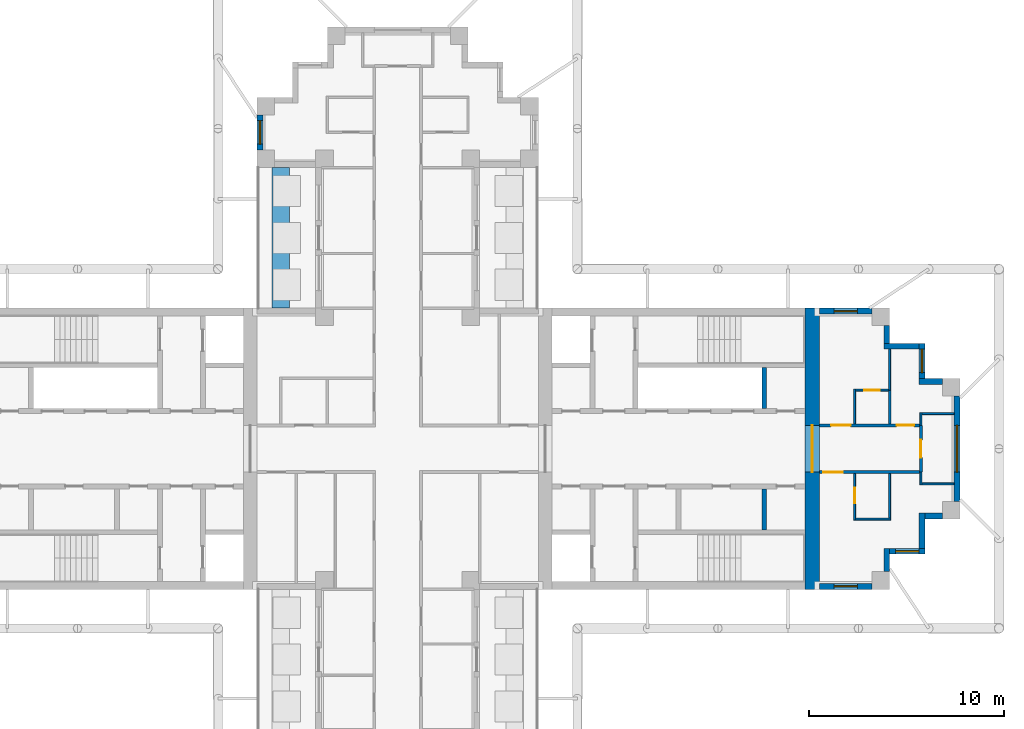
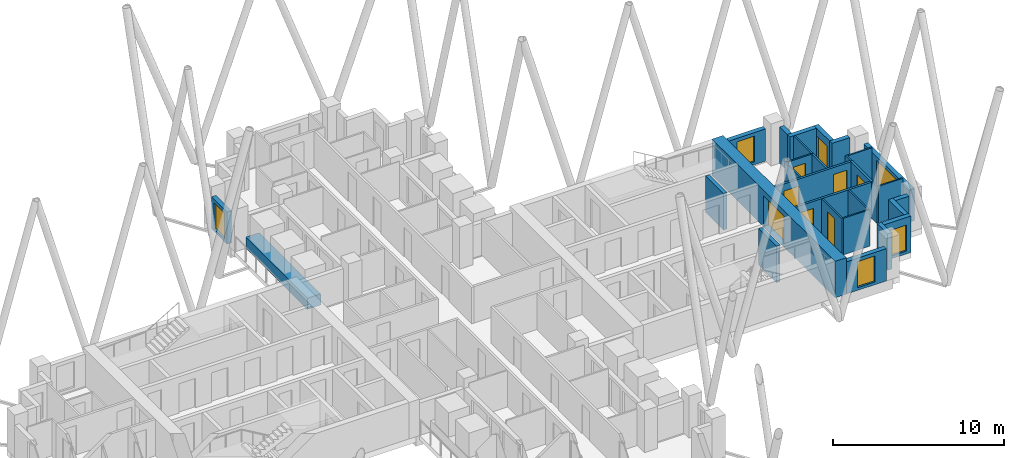
# One storey, part 7 of 11: 30 walls, 7 doors, 6 windows, 13 openings.
"""IFC4 building model written with IfcOpenShell, lengths in metres."""

import ifcopenshell
import ifcopenshell.guid

model = None  # the IFC model being written
_history = None  # IfcOwnerHistory: only IFC2X3 demands one
_inside = {}  # id of a spatial element -> (the spatial element, [elements in it])
_under = {}  # id of a project, library or spatial element -> (it, [spatial elements below it])
_declared = {}  # id of a project -> (the project, [libraries it declares])
_typed = {}  # id of a type object -> (the type object, [elements of that type])
_made_of = {}  # id of a material, layer set ... -> (it, [elements and type objects made of it])


def new_model(schema):
    """Start an empty IFC model of exactly this schema.

    Asked for "IFC4X3", IfcOpenShell would pick the latest addendum, in which some entities
    have other attributes; the version numbers below select the first issue.
    IFC2X3 requires an IfcOwnerHistory on every rooted entity: one is made here for all.
    """
    global model, _history
    if schema == "IFC4X3":
        model = ifcopenshell.file(schema_version=(4, 3, 0, 0))
    else:
        model = ifcopenshell.file(schema=schema)
    _inside.clear()
    _under.clear()
    _declared.clear()
    _typed.clear()
    _made_of.clear()
    _history = None
    if model.schema == "IFC2X3":
        org = make("IfcOrganization", Name="unknown")
        user = make(
            "IfcPersonAndOrganization",
            ThePerson=make("IfcPerson", FamilyName="unknown"),
            TheOrganization=org,
        )
        app = make(
            "IfcApplication",
            ApplicationDeveloper=org,
            Version="unknown",
            ApplicationFullName="unknown",
            ApplicationIdentifier="unknown",
        )
        _history = make(
            "IfcOwnerHistory",
            OwningUser=user,
            OwningApplication=app,
            ChangeAction="ADDED",
            CreationDate=0,
        )
    return model


def make(cls, **values):
    """One entity of the class cls with the attributes given. An attribute that is None is left unset."""
    return model.create_entity(
        cls, **{name: value for name, value in values.items() if value is not None}
    )


def rooted(cls, **values):
    """An entity with a GlobalId (a new one), such as an element, a storey or a relation."""
    return make(cls, GlobalId=ifcopenshell.guid.new(), OwnerHistory=_history, **values)


def si_unit(unit_type, name, prefix=None):
    """IfcSIUnit, for example si_unit("LENGTHUNIT", "METRE", prefix="MILLI")."""
    return make("IfcSIUnit", UnitType=unit_type, Prefix=prefix, Name=name)


def assignment(units):
    """IfcUnitAssignment: the units of a project."""
    return None if units is None else make("IfcUnitAssignment", Units=units)


def point(xyz):
    """IfcCartesianPoint."""
    return None if xyz is None else make("IfcCartesianPoint", Coordinates=xyz)


def direction(xyz):
    """IfcDirection."""
    return None if xyz is None else make("IfcDirection", DirectionRatios=xyz)


def frame(location, z_axis=None, x_axis=None):
    """IfcAxis2Placement3D, a coordinate frame: its origin and axes. An axis left out is left unset."""
    return make(
        "IfcAxis2Placement3D",
        Location=point(location),
        Axis=direction(z_axis),
        RefDirection=direction(x_axis),
    )


def frame_2d(location, x_axis=None):
    """IfcAxis2Placement2D, a coordinate frame in the plane: its origin and x axis."""
    return make(
        "IfcAxis2Placement2D", Location=point(location), RefDirection=direction(x_axis)
    )


def origin():
    """The frame at (0, 0, 0) with its axes left unset."""
    return frame((0.0, 0.0, 0.0))


def place(relative_to, where):
    """IfcLocalPlacement: puts the frame where relative to a parent placement (None: the world)."""
    return make(
        "IfcLocalPlacement", PlacementRelTo=relative_to, RelativePlacement=where
    )


def context(
    kind, dimensions, precision=None, world=None, true_north=None, identifier=None
):
    """IfcGeometricRepresentationContext, for example the 3D "Model" context."""
    return make(
        "IfcGeometricRepresentationContext",
        ContextIdentifier=identifier,
        ContextType=kind,
        CoordinateSpaceDimension=dimensions,
        Precision=precision,
        WorldCoordinateSystem=world,
        TrueNorth=true_north,
    )


def subcontext(parent, identifier, kind, view, scale=None):
    """IfcGeometricRepresentationSubContext, for example "Body" below "Model"."""
    return make(
        "IfcGeometricRepresentationSubContext",
        ContextIdentifier=identifier,
        ContextType=kind,
        ParentContext=parent,
        TargetScale=scale,
        TargetView=view,
    )


def project(units=None, contexts=None):
    """IfcProject with its units and contexts."""
    return rooted(
        "IfcProject",
        Name="project",
        RepresentationContexts=contexts,
        UnitsInContext=assignment(units),
    )


def spatial(cls, under=None, at=None, **own):
    """A site, building, storey or space (cls), placed at a placement, below another one or the project."""
    s = rooted(cls, ObjectPlacement=at, **own)
    if under is not None:
        _under.setdefault(under.id(), (under, []))[1].append(s)
    return s


def profile(cls, at=None, kind="AREA", **sizes):
    """A parametric profile (cls). Its sizes go by their IFC names, for example OverallWidth=200.0."""
    return make(cls, ProfileType=kind, Position=at, **sizes)


def rectangle(**sizes):
    """IfcRectangleProfileDef."""
    return profile("IfcRectangleProfileDef", **sizes)


def extrude(swept, where, along, depth):
    """IfcExtrudedAreaSolid: the profile swept, set in the frame where, extruded along a direction by depth."""
    return make(
        "IfcExtrudedAreaSolid",
        SweptArea=swept,
        Position=where,
        ExtrudedDirection=direction(along),
        Depth=depth,
    )


def shape(context_of_items, identifier, shape_type, items):
    """IfcShapeRepresentation: the items that make up one representation, for example the "Body"."""
    return make(
        "IfcShapeRepresentation",
        ContextOfItems=context_of_items,
        RepresentationIdentifier=identifier,
        RepresentationType=shape_type,
        Items=items,
    )


def material(Name=None, Category=None):
    """IfcMaterial."""
    return make("IfcMaterial", Name=Name, Category=Category)


def layer(
    of_material, thickness, ventilated=None, Name=None, Category=None, Priority=None
):
    """IfcMaterialLayer: one layer of a wall or slab, of a material (None: an air gap)."""
    return make(
        "IfcMaterialLayer",
        Material=of_material,
        LayerThickness=thickness,
        IsVentilated=ventilated,
        Name=Name,
        Category=Category,
        Priority=Priority,
    )


def layer_set(layers, Name=None):
    """IfcMaterialLayerSet."""
    return make("IfcMaterialLayerSet", MaterialLayers=layers, LayerSetName=Name)


def made_of(thing, what):
    """Note that an element or type object is made of a material, layer set ...; save() writes the relation."""
    if what is not None:
        _made_of.setdefault(what.id(), (what, []))[1].append(thing)
    return thing


def type_object(cls, material=None, **own):
    """A type object (cls), such as IfcWallType, which elements share."""
    return made_of(rooted(cls, **own), material)


def element(
    cls,
    number,
    at=None,
    inside=None,
    cuts=None,
    type_object=None,
    material=None,
    context=None,
    identifier="Body",
    shape_type=None,
    held_by="IfcProductDefinitionShape",
    body=None,
    shapes=None,
    **own,
):
    """One element of the class cls, such as IfcWall. Its Tag is "e" and its number.

    at: its placement. inside: the storey or other place that contains it. cuts: it is an
    opening in that element (IfcRelVoidsElement). A single representation is given by context,
    identifier, shape_type and body (its items); several are given by shapes. held_by: the class
    of the entity that holds the representations. save() writes the other relations.
    """
    e = rooted(cls, Tag="e%d" % number, ObjectPlacement=at, **own)
    if body is not None:
        shapes = [shape(context, identifier, shape_type, body)]
    if shapes is not None:
        e.Representation = make(held_by, Representations=shapes)
    if inside is not None:
        _inside.setdefault(inside.id(), (inside, []))[1].append(e)
    if cuts is not None:
        rooted(
            "IfcRelVoidsElement", RelatingBuildingElement=cuts, RelatedOpeningElement=e
        )
    if type_object is not None:
        _typed.setdefault(type_object.id(), (type_object, []))[1].append(e)
    return made_of(e, material)


def fill(opening, filler):
    """IfcRelFillsElement: the door or window that sits in an opening."""
    return rooted(
        "IfcRelFillsElement",
        RelatingOpeningElement=opening,
        RelatedBuildingElement=filler,
    )


def aggregate(whole, parts):
    """IfcRelAggregates: a whole, such as a stair, and the parts it consists of."""
    return rooted("IfcRelAggregates", RelatingObject=whole, RelatedObjects=parts)


def save(model, path):
    """Write the relations noted so far, then the file.

    IfcRelAggregates (storeys below a building ...), IfcRelContainedInSpatialStructure (elements
    in a storey), IfcRelDefinesByType, IfcRelAssociatesMaterial and IfcRelDeclares: one each for
    every whole, place, type object, material and project.
    """
    for whole, parts in _under.values():
        aggregate(whole, parts)
    for where, things in _inside.values():
        rooted(
            "IfcRelContainedInSpatialStructure",
            RelatedElements=things,
            RelatingStructure=where,
        )
    for kind, things in _typed.values():
        rooted("IfcRelDefinesByType", RelatedObjects=things, RelatingType=kind)
    for what, things in _made_of.values():
        rooted("IfcRelAssociatesMaterial", RelatedObjects=things, RelatingMaterial=what)
    for by, libraries in _declared.values():
        rooted("IfcRelDeclares", RelatingContext=by, RelatedDefinitions=libraries)
    model.write(path)


model = new_model("IFC4")

# Units and contexts
model_context = context("Model", 3, precision=1e-05, world=origin(), true_north=direction((0.0, 1.0)))
body_context = subcontext(model_context, "Body", "Model", "MODEL_VIEW")
ifc_project = project(units=[si_unit("LENGTHUNIT", "METRE"), si_unit("AREAUNIT", "SQUARE_METRE"), si_unit("VOLUMEUNIT", "CUBIC_METRE"), si_unit("PLANEANGLEUNIT", "RADIAN"), si_unit("MASSUNIT", "GRAM", prefix="KILO")], contexts=[model_context])

# Site, building, storey
site_placement = place(None, origin())
site = spatial("IfcSite", under=ifc_project, at=site_placement, CompositionType="ELEMENT")
building_placement = place(site_placement, origin())
building = spatial("IfcBuilding", under=site, at=building_placement, Name="Fustian Cross Tower", CompositionType="ELEMENT")
storey_placement = place(building_placement, frame((0.0, 0.0, 234.89990234375)))
storey = spatial("IfcBuildingStorey", under=building, at=storey_placement, Name="L74", CompositionType="ELEMENT", Elevation=234.89990234375)

# Wall, opening, door
ifc_material_1 = material(Name="Plasterboard on steel stud", Category="steel")
ifc_layer_1 = layer(ifc_material_1, 0.14990234375)
ifc_layer_set_1 = layer_set([ifc_layer_1], Name="Plasterboard on steel stud")
wall_type_1 = type_object("IfcWallType", Name="COMPARTMENT WALL 150 EI 60", PredefinedType="PARTITIONING", material=ifc_layer_set_1)
wall_1_placement = place(storey_placement, frame((21.60009765625, -1.199951171875, 0.0), z_axis=(0.0, 0.0, 1.0), x_axis=(1.0, 0.0, 0.0)))
wall_1 = element("IfcWall", 1, at=wall_1_placement, inside=storey, type_object=wall_type_1, Name="Partition 61", PredefinedType="PARTITIONING", context=body_context, shape_type="SweptSolid", body=[
    extrude(rectangle(XDim=5.125, YDim=0.14990234375, at=frame_2d((2.5625, 0.0))), origin(), (0.0, 0.0, 1.0), 2.60009765625),
])
opening_1_placement = place(wall_1_placement, frame((0.199951171875, 0.0, 0.0)))
opening_1 = element("IfcOpeningElement", 2, at=opening_1_placement, cuts=wall_1, Name="Opening D33016", PredefinedType="OPENING", context=body_context, shape_type="SweptSolid", body=[
    extrude(rectangle(XDim=1.0, YDim=2.10009765625, at=frame_2d((0.5, 1.050048828125))), frame((0.0, 0.0849609375, 0.0), z_axis=(0.0, -1.0, 0.0), x_axis=(1.0, 0.0, 0.0)), (0.0, 0.0, 1.0), 0.169921875),
])
ifc_material_2 = material(Name="Timber fire door set", Category="wood")
door_type_1 = type_object("IfcDoorType", Name="FIRE SWING DOOR 1000 FD30S", OperationType="SINGLE_SWING_LEFT", PredefinedType="DOOR", material=ifc_material_2)
door_1_placement = place(opening_1_placement, frame((1.0, 0.0, 0.0), z_axis=(0.0, 0.0, 1.0), x_axis=(-1.0, 0.0, 0.0)))
door_1 = element("IfcDoor", 3, at=door_1_placement, inside=storey, type_object=door_type_1, Name="Door D33016", OperationType="SINGLE_SWING_RIGHT", OverallHeight=2.10009765625, OverallWidth=1.0, PredefinedType="DOOR", context=body_context, shape_type="SweptSolid", body=[
    extrude(rectangle(XDim=1.0, YDim=2.10009765625, at=frame_2d((0.5, 1.050048828125))), frame((0.0, 0.02490234375, 0.0), z_axis=(0.0, -1.0, 0.0), x_axis=(1.0, 0.0, 0.0)), (0.0, 0.0, 1.0), 0.050048828125),
])
fill(opening_1, door_1)

# Wall, openings, doors
wall_2_placement = place(storey_placement, frame((21.60009765625, 1.199951171875, 0.0), z_axis=(0.0, 0.0, 1.0), x_axis=(1.0, 0.0, 0.0)))
wall_2 = element("IfcWall", 4, at=wall_2_placement, inside=storey, type_object=wall_type_1, Name="Partition 62", PredefinedType="PARTITIONING", context=body_context, shape_type="SweptSolid", body=[
    extrude(rectangle(XDim=5.125, YDim=0.14990234375, at=frame_2d((2.5625, 0.0))), origin(), (0.0, 0.0, 1.0), 2.60009765625),
])
opening_2_placement = place(wall_2_placement, frame((0.60009765625, 0.0, 0.0)))
opening_2 = element("IfcOpeningElement", 5, at=opening_2_placement, cuts=wall_2, Name="Opening D33013", PredefinedType="OPENING", context=body_context, shape_type="SweptSolid", body=[
    extrude(rectangle(XDim=1.0, YDim=2.10009765625, at=frame_2d((0.5, 1.050048828125))), frame((0.0, 0.0849609375, 0.0), z_axis=(0.0, -1.0, 0.0), x_axis=(1.0, 0.0, 0.0)), (0.0, 0.0, 1.0), 0.169921875),
])
opening_3_placement = place(wall_2_placement, frame((3.949951171875, 0.0, 0.0)))
opening_3 = element("IfcOpeningElement", 6, at=opening_3_placement, cuts=wall_2, Name="Opening D33014", PredefinedType="OPENING", context=body_context, shape_type="SweptSolid", body=[
    extrude(rectangle(XDim=0.89990234375, YDim=2.10009765625, at=frame_2d((0.449951171875, 1.050048828125))), frame((0.0, 0.0849609375, 0.0), z_axis=(0.0, -1.0, 0.0), x_axis=(1.0, 0.0, 0.0)), (0.0, 0.0, 1.0), 0.169921875),
])
door_2_placement = place(opening_2_placement, origin())
door_2 = element("IfcDoor", 7, at=door_2_placement, inside=storey, type_object=door_type_1, Name="Door D33013", OperationType="SINGLE_SWING_RIGHT", OverallHeight=2.10009765625, OverallWidth=1.0, PredefinedType="DOOR", context=body_context, shape_type="SweptSolid", body=[
    extrude(rectangle(XDim=1.0, YDim=2.10009765625, at=frame_2d((0.5, 1.050048828125))), frame((0.0, 0.02490234375, 0.0), z_axis=(0.0, -1.0, 0.0), x_axis=(1.0, 0.0, 0.0)), (0.0, 0.0, 1.0), 0.050048828125),
])
fill(opening_2, door_2)
ifc_material_3 = material(Name="Timber fire door set", Category="wood")
door_type_2 = type_object("IfcDoorType", Name="FIRE SWING DOOR 900 FD30S", OperationType="SINGLE_SWING_LEFT", PredefinedType="DOOR", material=ifc_material_3)
door_3_placement = place(opening_3_placement, origin())
door_3 = element("IfcDoor", 8, at=door_3_placement, inside=storey, type_object=door_type_2, Name="Door D33014", OperationType="SINGLE_SWING_LEFT", OverallHeight=2.10009765625, OverallWidth=0.89990234375, PredefinedType="DOOR", context=body_context, shape_type="SweptSolid", body=[
    extrude(rectangle(XDim=0.89990234375, YDim=2.10009765625, at=frame_2d((0.449951171875, 1.050048828125))), frame((0.0, 0.02490234375, 0.0), z_axis=(0.0, -1.0, 0.0), x_axis=(1.0, 0.0, 0.0)), (0.0, 0.0, 1.0), 0.050048828125),
])
fill(opening_3, door_3)

# Wall, opening, door
wall_3_placement = place(storey_placement, frame((26.800048828125, -1.199951171875, 0.0), z_axis=(0.0, 0.0, 1.0), x_axis=(0.0, 1.0, 0.0)))
wall_3 = element("IfcWall", 9, at=wall_3_placement, inside=storey, type_object=wall_type_1, Name="Partition 72", PredefinedType="PARTITIONING", context=body_context, shape_type="SweptSolid", body=[
    extrude(rectangle(XDim=2.39990234375, YDim=0.14990234375, at=frame_2d((1.199951171875, 0.0))), origin(), (0.0, 0.0, 1.0), 2.60009765625),
])
opening_4_placement = place(wall_3_placement, frame((0.75, 0.0, 0.0)))
opening_4 = element("IfcOpeningElement", 10, at=opening_4_placement, cuts=wall_3, Name="Opening D33011", PredefinedType="OPENING", context=body_context, shape_type="SweptSolid", body=[
    extrude(rectangle(XDim=0.89990234375, YDim=2.10009765625, at=frame_2d((0.449951171875, 1.050048828125))), frame((0.0, 0.0849609375, 0.0), z_axis=(0.0, -1.0, 0.0), x_axis=(1.0, 0.0, 0.0)), (0.0, 0.0, 1.0), 0.169921875),
])
door_4_placement = place(opening_4_placement, frame((0.89990234375, 0.0, 0.0), z_axis=(0.0, 0.0, 1.0), x_axis=(-1.0, 0.0, 0.0)))
door_4 = element("IfcDoor", 11, at=door_4_placement, inside=storey, type_object=door_type_2, Name="Door D33011", OperationType="SINGLE_SWING_RIGHT", OverallHeight=2.10009765625, OverallWidth=0.89990234375, PredefinedType="DOOR", context=body_context, shape_type="SweptSolid", body=[
    extrude(rectangle(XDim=0.89990234375, YDim=2.10009765625, at=frame_2d((0.449951171875, 1.050048828125))), frame((0.0, 0.02490234375, 0.0), z_axis=(0.0, -1.0, 0.0), x_axis=(1.0, 0.0, 0.0)), (0.0, 0.0, 1.0), 0.050048828125),
])
fill(opening_4, door_4)

ifc_material_4 = material(Name="Concrete C50/60", Category="concrete")
ifc_layer_2 = layer(ifc_material_4, 0.75)
ifc_layer_set_2 = layer_set([ifc_layer_2], Name="Concrete C50/60")
wall_type_2 = type_object("IfcWallType", Name="CORE END WALL 750 C50/60", PredefinedType="SHEAR", material=ifc_layer_set_2)
wall_4_placement = place(storey_placement, frame((21.22509765625, -7.199951171875, 0.0), z_axis=(0.0, 0.0, 1.0), x_axis=(0.0, 1.0, 0.0)))
wall_4 = element("IfcWall", 12, at=wall_4_placement, inside=storey, type_object=wall_type_2, Name="Core end wall", PredefinedType="SHEAR", context=body_context, shape_type="SweptSolid", body=[
    extrude(rectangle(XDim=14.39990234375, YDim=0.75, at=frame_2d((7.199951171875, 0.0))), origin(), (0.0, 0.0, 1.0), 2.60009765625),
])
opening_5_placement = place(wall_4_placement, frame((6.0, 0.0, 0.0)))
opening_5 = element("IfcOpeningElement", 13, at=opening_5_placement, cuts=wall_4, Name="Opening CD-28-13", PredefinedType="OPENING", context=body_context, shape_type="SweptSolid", body=[
    extrude(rectangle(XDim=2.39990234375, YDim=2.199951171875, at=frame_2d((1.199951171875, 1.10009765625))), frame((0.0, 0.385009765625, 0.0), z_axis=(0.0, -1.0, 0.0), x_axis=(1.0, 0.0, 0.0)), (0.0, 0.0, 1.0), 0.77001953125),
])
ifc_material_5 = material(Name="Steel", Category="steel")
door_type_3 = type_object("IfcDoorType", Name="FIRE DOOR FD30S DOUBLE 2400X2200", OperationType="DOUBLE_DOOR_DOUBLE_SWING", PredefinedType="DOOR", material=ifc_material_5)
door_5_placement = place(opening_5_placement, origin())
door_5 = element("IfcDoor", 14, at=door_5_placement, inside=storey, type_object=door_type_3, Name="Core door CD-28-13", OperationType="DOUBLE_DOOR_DOUBLE_SWING", OverallHeight=2.199951171875, OverallWidth=2.39990234375, PredefinedType="DOOR", context=body_context, shape_type="SweptSolid", body=[
    extrude(rectangle(XDim=2.39990234375, YDim=2.199951171875, at=frame_2d((1.199951171875, 1.10009765625))), frame((0.0, 0.02490234375, 0.0), z_axis=(0.0, -1.0, 0.0), x_axis=(1.0, 0.0, 0.0)), (0.0, 0.0, 1.0), 0.050048828125),
])
fill(opening_5, door_5)

ifc_material_6 = material(Name="Plasterboard on steel stud", Category="steel")
ifc_layer_3 = layer(ifc_material_6, 0.10009765625)
ifc_layer_set_3 = layer_set([ifc_layer_3], Name="Plasterboard on steel stud")
wall_type_3 = type_object("IfcWallType", Name="PARTITION 100 STUD", PredefinedType="PARTITIONING", material=ifc_layer_set_3)
wall_5_placement = place(storey_placement, frame((23.39990234375, -3.64990234375, 0.0), z_axis=(0.0, 0.0, 1.0), x_axis=(0.0, 1.0, 0.0)))
wall_5 = element("IfcWall", 15, at=wall_5_placement, inside=storey, type_object=wall_type_3, Name="Partition 63", PredefinedType="PARTITIONING", context=body_context, shape_type="SweptSolid", body=[
    extrude(rectangle(XDim=2.375, YDim=0.10009765625, at=frame_2d((1.1875, 0.0))), origin(), (0.0, 0.0, 1.0), 2.60009765625),
])
opening_6_placement = place(wall_5_placement, frame((0.85009765625, 0.0, 0.0)))
opening_6 = element("IfcOpeningElement", 16, at=opening_6_placement, cuts=wall_5, Name="Opening D33015", PredefinedType="OPENING", context=body_context, shape_type="SweptSolid", body=[
    extrude(rectangle(XDim=0.800048828125, YDim=2.10009765625, at=frame_2d((0.39990234375, 1.050048828125))), frame((0.0, 0.06005859375, 0.0), z_axis=(0.0, -1.0, 0.0), x_axis=(1.0, 0.0, 0.0)), (0.0, 0.0, 1.0), 0.1201171875),
])
ifc_material_7 = material(Name="Painted timber", Category="wood")
door_type_4 = type_object("IfcDoorType", Name="SWING DOOR 800", OperationType="SINGLE_SWING_LEFT", PredefinedType="DOOR", material=ifc_material_7)
door_6_placement = place(opening_6_placement, frame((0.800048828125, 0.0, 0.0), z_axis=(0.0, 0.0, 1.0), x_axis=(-1.0, 0.0, 0.0)))
door_6 = element("IfcDoor", 17, at=door_6_placement, inside=storey, type_object=door_type_4, Name="Door D33015", OperationType="SINGLE_SWING_RIGHT", OverallHeight=2.10009765625, OverallWidth=0.800048828125, PredefinedType="DOOR", context=body_context, shape_type="SweptSolid", body=[
    extrude(rectangle(XDim=0.800048828125, YDim=2.10009765625, at=frame_2d((0.39990234375, 1.050048828125))), frame((0.0, 0.02490234375, 0.0), z_axis=(0.0, -1.0, 0.0), x_axis=(1.0, 0.0, 0.0)), (0.0, 0.0, 1.0), 0.050048828125),
])
fill(opening_6, door_6)

# Walls
wall_6_placement = place(storey_placement, frame((23.449951171875, -3.60009765625, 0.0), z_axis=(0.0, 0.0, 1.0), x_axis=(1.0, 0.0, 0.0)))
element("IfcWall", 18, at=wall_6_placement, inside=storey, type_object=wall_type_3, Name="Partition 64", PredefinedType="PARTITIONING", context=body_context, shape_type="SweptSolid", body=[
    extrude(rectangle(XDim=1.800048828125, YDim=0.10009765625, at=frame_2d((0.89990234375, 0.0))), origin(), (0.0, 0.0, 1.0), 2.60009765625),
])
wall_7_placement = place(storey_placement, frame((23.39990234375, 1.27490234375, 0.0), z_axis=(0.0, 0.0, 1.0), x_axis=(0.0, 1.0, 0.0)))
element("IfcWall", 19, at=wall_7_placement, inside=storey, type_object=wall_type_3, Name="Partition 65", PredefinedType="PARTITIONING", context=body_context, shape_type="SweptSolid", body=[
    extrude(rectangle(XDim=1.775146484375, YDim=0.10009765625, at=frame_2d((0.8876953125, 0.0))), origin(), (0.0, 0.0, 1.0), 2.60009765625),
])

# Wall, opening, door
wall_8_placement = place(storey_placement, frame((23.449951171875, 3.0, 0.0), z_axis=(0.0, 0.0, 1.0), x_axis=(1.0, 0.0, 0.0)))
wall_8 = element("IfcWall", 20, at=wall_8_placement, inside=storey, type_object=wall_type_3, Name="Partition 66", PredefinedType="PARTITIONING", context=body_context, shape_type="SweptSolid", body=[
    extrude(rectangle(XDim=1.6875, YDim=0.10009765625, at=frame_2d((0.84375, 0.0))), origin(), (0.0, 0.0, 1.0), 2.60009765625),
])
opening_7_placement = place(wall_8_placement, frame((0.449951171875, 0.0, 0.0)))
opening_7 = element("IfcOpeningElement", 21, at=opening_7_placement, cuts=wall_8, Name="Opening D33012", PredefinedType="OPENING", context=body_context, shape_type="SweptSolid", body=[
    extrude(rectangle(XDim=0.800048828125, YDim=2.10009765625, at=frame_2d((0.39990234375, 1.050048828125))), frame((0.0, 0.06005859375, 0.0), z_axis=(0.0, -1.0, 0.0), x_axis=(1.0, 0.0, 0.0)), (0.0, 0.0, 1.0), 0.1201171875),
])
door_7_placement = place(opening_7_placement, frame((0.800048828125, 0.0, 0.0), z_axis=(0.0, 0.0, 1.0), x_axis=(-1.0, 0.0, 0.0)))
door_7 = element("IfcDoor", 22, at=door_7_placement, inside=storey, type_object=door_type_4, Name="Door D33012", OperationType="SINGLE_SWING_LEFT", OverallHeight=2.10009765625, OverallWidth=0.800048828125, PredefinedType="DOOR", context=body_context, shape_type="SweptSolid", body=[
    extrude(rectangle(XDim=0.800048828125, YDim=2.10009765625, at=frame_2d((0.39990234375, 1.050048828125))), frame((0.0, 0.02490234375, 0.0), z_axis=(0.0, -1.0, 0.0), x_axis=(1.0, 0.0, 0.0)), (0.0, 0.0, 1.0), 0.050048828125),
])
fill(opening_7, door_7)

# Walls
wall_9_placement = place(storey_placement, frame((25.199951171875, -3.550048828125, 0.0), z_axis=(0.0, 0.0, 1.0), x_axis=(0.0, 1.0, 0.0)))
element("IfcWall", 23, at=wall_9_placement, inside=storey, type_object=wall_type_3, Name="Partition 67", PredefinedType="PARTITIONING", context=body_context, shape_type="SweptSolid", body=[
    extrude(rectangle(XDim=2.275146484375, YDim=0.10009765625, at=frame_2d((1.1376953125, 0.0))), origin(), (0.0, 0.0, 1.0), 2.60009765625),
])
wall_10_placement = place(storey_placement, frame((25.199951171875, 3.0, 0.0), z_axis=(0.0, 0.0, 1.0), x_axis=(0.0, 1.0, 0.0)))
element("IfcWall", 24, at=wall_10_placement, inside=storey, type_object=wall_type_3, Name="Partition 69", PredefinedType="PARTITIONING", context=body_context, shape_type="SweptSolid", body=[
    extrude(rectangle(XDim=2.10009765625, YDim=0.10009765625, at=frame_2d((1.050048828125, 0.0))), origin(), (0.0, 0.0, 1.0), 2.60009765625),
])
wall_11_placement = place(storey_placement, frame((26.800048828125, -1.85009765625, 0.0), z_axis=(0.0, 0.0, 1.0), x_axis=(0.0, 1.0, 0.0)))
element("IfcWall", 25, at=wall_11_placement, inside=storey, type_object=wall_type_3, Name="Partition 70", PredefinedType="PARTITIONING", context=body_context, shape_type="SweptSolid", body=[
    extrude(rectangle(XDim=0.650146484375, YDim=0.10009765625, at=frame_2d((0.3251953125, 0.0))), origin(), (0.0, 0.0, 1.0), 2.60009765625),
])
wall_12_placement = place(storey_placement, frame((26.85009765625, -1.800048828125, 0.0), z_axis=(0.0, 0.0, 1.0), x_axis=(1.0, 0.0, 0.0)))
element("IfcWall", 26, at=wall_12_placement, inside=storey, type_object=wall_type_3, Name="Partition 71", PredefinedType="PARTITIONING", context=body_context, shape_type="SweptSolid", body=[
    extrude(rectangle(XDim=1.64990234375, YDim=0.10009765625, at=frame_2d((0.824951171875, 0.0))), origin(), (0.0, 0.0, 1.0), 2.60009765625),
])
wall_13_placement = place(storey_placement, frame((26.800048828125, 1.199951171875, 0.0), z_axis=(0.0, 0.0, 1.0), x_axis=(0.0, 1.0, 0.0)))
element("IfcWall", 27, at=wall_13_placement, inside=storey, type_object=wall_type_3, Name="Partition 73", PredefinedType="PARTITIONING", context=body_context, shape_type="SweptSolid", body=[
    extrude(rectangle(XDim=0.650146484375, YDim=0.10009765625, at=frame_2d((0.3251953125, 0.0))), origin(), (0.0, 0.0, 1.0), 2.60009765625),
])
wall_14_placement = place(storey_placement, frame((26.85009765625, 1.800048828125, 0.0), z_axis=(0.0, 0.0, 1.0), x_axis=(1.0, 0.0, 0.0)))
element("IfcWall", 28, at=wall_14_placement, inside=storey, type_object=wall_type_3, Name="Partition 74", PredefinedType="PARTITIONING", context=body_context, shape_type="SweptSolid", body=[
    extrude(rectangle(XDim=1.64990234375, YDim=0.10009765625, at=frame_2d((0.824951171875, 0.0))), origin(), (0.0, 0.0, 1.0), 2.60009765625),
])
ifc_material_8 = material(Name="Concrete C40/50", Category="concrete")
ifc_layer_4 = layer(ifc_material_8, 0.89990234375)
ifc_layer_set_4 = layer_set([ifc_layer_4], Name="Concrete C40/50")
wall_type_4 = type_object("IfcWallType", Name="PK1 PLANTER 900", PredefinedType="PARAPET", material=ifc_layer_set_4)
wall_15_placement = place(storey_placement, frame((-6.0, 7.199951171875, 0.0), z_axis=(0.0, 0.0, 1.0), x_axis=(0.0, 1.0, 0.0)))
element("IfcWall", 29, at=wall_15_placement, inside=storey, type_object=wall_type_4, Name="PLANTER", PredefinedType="PARAPET", context=body_context, shape_type="SweptSolid", body=[
    extrude(rectangle(XDim=7.199951171875, YDim=0.89990234375, at=frame_2d((3.60009765625, 0.0))), origin(), (0.0, 0.0, 1.0), 0.800048828125),
])
ifc_material_9 = material(Name="Concrete C40/50", Category="concrete")
ifc_layer_5 = layer(ifc_material_9, 0.25)
ifc_layer_set_5 = layer_set([ifc_layer_5], Name="Concrete C40/50")
wall_type_5 = type_object("IfcWallType", Name="SHAFT PARTITION WALL 250 C40/50", PredefinedType="PARTITIONING", material=ifc_layer_set_5)
for number, where, z_axis, x_axis, name in (
    (30, (18.77490234375, 2.050048828125, 0.0), (0.0, 0.0, 1.0), (0.0, 1.0, 0.0), "Core shaft wall"),
    (31, (18.77490234375, -2.050048828125, 0.0), (0.0, 0.0, 1.0), (0.0, -1.0, 0.0), "Core shaft wall"),
):
    element("IfcWall", number, at=place(storey_placement, frame(where, z_axis=z_axis, x_axis=x_axis)), inside=storey, type_object=wall_type_5, Name=name, PredefinedType="PARTITIONING", context=body_context, shape_type="SweptSolid", body=[
        extrude(rectangle(XDim=2.099853515625, YDim=0.25, at=frame_2d((1.0498046875, 0.0))), origin(), (0.0, 0.0, 1.0), 2.60009765625),
    ])
ifc_material_10 = material(Name="Plasterboard on steel stud", Category="steel")
ifc_layer_6 = layer(ifc_material_10, 0.125)
ifc_layer_set_6 = layer_set([ifc_layer_6], Name="Plasterboard on steel stud")
wall_type_6 = type_object("IfcWallType", Name="WET WALL 125 STUD", PredefinedType="PARTITIONING", material=ifc_layer_set_6)
wall_16_placement = place(storey_placement, frame((25.199951171875, 1.27490234375, 0.0), z_axis=(0.0, 0.0, 1.0), x_axis=(0.0, 1.0, 0.0)))
element("IfcWall", 32, at=wall_16_placement, inside=storey, type_object=wall_type_6, Name="Partition 68", PredefinedType="PARTITIONING", context=body_context, shape_type="SweptSolid", body=[
    extrude(rectangle(XDim=1.72509765625, YDim=0.125, at=frame_2d((0.862548828125, 0.0))), origin(), (0.0, 0.0, 1.0), 2.60009765625),
])

# Wall, opening, window
ifc_material_11 = material(Name="Dark aluminium cladding on insulated backing wall", Category="aluminium")
ifc_layer_7 = layer(ifc_material_11, 0.300048828125)
ifc_layer_set_7 = layer_set([ifc_layer_7], Name="Dark aluminium cladding on insulated backing wall")
wall_type_7 = type_object("IfcWallType", Name="XW1 EXTERNAL WALL 300", PredefinedType="SOLIDWALL", material=ifc_layer_set_7)
wall_17_placement = place(storey_placement, frame((21.60009765625, -7.050048828125, 0.0), z_axis=(0.0, 0.0, 1.0), x_axis=(1.0, 0.0, 0.0)))
wall_17 = element("IfcWall", 33, at=wall_17_placement, inside=storey, type_object=wall_type_7, Name="External wall", PredefinedType="SOLIDWALL", context=body_context, shape_type="SweptSolid", body=[
    extrude(rectangle(XDim=2.699951171875, YDim=0.300048828125, at=frame_2d((1.35009765625, 0.0))), origin(), (0.0, 0.0, 1.0), 2.300048828125),
])
opening_8_placement = place(wall_17_placement, frame((0.75, 0.0, 0.199951171875)))
opening_8 = element("IfcOpeningElement", 34, at=opening_8_placement, cuts=wall_17, Name="Opening WN3", PredefinedType="OPENING", context=body_context, shape_type="SweptSolid", body=[
    extrude(rectangle(XDim=1.199951171875, YDim=1.85009765625, at=frame_2d((0.60009765625, 0.925048828125))), frame((0.0, 0.159912109375, 0.0), z_axis=(0.0, -1.0, 0.0), x_axis=(1.0, 0.0, 0.0)), (0.0, 0.0, 1.0), 0.320068359375),
])
ifc_material_12 = material(Name="Dark anodised aluminium and double glazing", Category="aluminium")
window_type_1 = type_object("IfcWindowType", Name="WN3 WINDOW 1200X1850", PartitioningType="SINGLE_PANEL", PredefinedType="WINDOW", material=ifc_material_12)
window_1_placement = place(opening_8_placement, origin())
window_1 = element("IfcWindow", 35, at=window_1_placement, inside=storey, type_object=window_type_1, Name="Window", OverallHeight=1.85009765625, OverallWidth=1.199951171875, PartitioningType="SINGLE_PANEL", PredefinedType="WINDOW", context=body_context, shape_type="SweptSolid", body=[
    extrude(rectangle(XDim=1.199951171875, YDim=1.85009765625, at=frame_2d((0.60009765625, 0.925048828125))), frame((0.0, 0.030029296875, 0.0), z_axis=(0.0, -1.0, 0.0), x_axis=(1.0, 0.0, 0.0)), (0.0, 0.0, 1.0), 0.06005859375),
])
fill(opening_8, window_1)

# Wall
wall_18_placement = place(storey_placement, frame((25.050048828125, -6.300048828125, 0.0), z_axis=(0.0, 0.0, 1.0), x_axis=(0.0, 1.0, 0.0)))
element("IfcWall", 36, at=wall_18_placement, inside=storey, type_object=wall_type_7, Name="External wall", PredefinedType="SOLIDWALL", context=body_context, shape_type="SweptSolid", body=[
    extrude(rectangle(XDim=1.199951171875, YDim=0.300048828125, at=frame_2d((0.60009765625, 0.0))), origin(), (0.0, 0.0, 1.0), 2.60009765625),
])

# Wall, opening, window
wall_19_placement = place(storey_placement, frame((25.199951171875, -5.25, 0.0), z_axis=(0.0, 0.0, 1.0), x_axis=(1.0, 0.0, 0.0)))
wall_19 = element("IfcWall", 37, at=wall_19_placement, inside=storey, type_object=wall_type_7, Name="External wall", PredefinedType="SOLIDWALL", context=body_context, shape_type="SweptSolid", body=[
    extrude(rectangle(XDim=1.800048828125, YDim=0.300048828125, at=frame_2d((0.89990234375, 0.0))), origin(), (0.0, 0.0, 1.0), 2.60009765625),
])
opening_9_placement = place(wall_19_placement, frame((0.300048828125, 0.0, 0.199951171875)))
opening_9 = element("IfcOpeningElement", 38, at=opening_9_placement, cuts=wall_19, Name="Opening WN3", PredefinedType="OPENING", context=body_context, shape_type="SweptSolid", body=[
    extrude(rectangle(XDim=1.199951171875, YDim=1.85009765625, at=frame_2d((0.60009765625, 0.925048828125))), frame((0.0, 0.159912109375, 0.0), z_axis=(0.0, -1.0, 0.0), x_axis=(1.0, 0.0, 0.0)), (0.0, 0.0, 1.0), 0.320068359375),
])
window_2_placement = place(opening_9_placement, origin())
window_2 = element("IfcWindow", 39, at=window_2_placement, inside=storey, type_object=window_type_1, Name="Window", OverallHeight=1.85009765625, OverallWidth=1.199951171875, PartitioningType="SINGLE_PANEL", PredefinedType="WINDOW", context=body_context, shape_type="SweptSolid", body=[
    extrude(rectangle(XDim=1.199951171875, YDim=1.85009765625, at=frame_2d((0.60009765625, 0.925048828125))), frame((0.0, 0.030029296875, 0.0), z_axis=(0.0, -1.0, 0.0), x_axis=(1.0, 0.0, 0.0)), (0.0, 0.0, 1.0), 0.06005859375),
])
fill(opening_9, window_2)

# Walls
wall_20_placement = place(storey_placement, frame((26.85009765625, -5.10009765625, 0.0), z_axis=(0.0, 0.0, 1.0), x_axis=(0.0, 1.0, 0.0)))
element("IfcWall", 40, at=wall_20_placement, inside=storey, type_object=wall_type_7, Name="External wall", PredefinedType="SOLIDWALL", context=body_context, shape_type="SweptSolid", body=[
    extrude(rectangle(XDim=1.800048828125, YDim=0.300048828125, at=frame_2d((0.89990234375, 0.0))), origin(), (0.0, 0.0, 1.0), 2.60009765625),
])
wall_21_placement = place(storey_placement, frame((27.0, -3.449951171875, 0.0), z_axis=(0.0, 0.0, 1.0), x_axis=(1.0, 0.0, 0.0)))
element("IfcWall", 41, at=wall_21_placement, inside=storey, type_object=wall_type_7, Name="External wall", PredefinedType="SOLIDWALL", context=body_context, shape_type="SweptSolid", body=[
    extrude(rectangle(XDim=0.89990234375, YDim=0.300048828125, at=frame_2d((0.449951171875, 0.0))), origin(), (0.0, 0.0, 1.0), 2.60009765625),
])

# Wall, opening, window
wall_22_placement = place(storey_placement, frame((28.64990234375, -2.699951171875, 0.0), z_axis=(0.0, 0.0, 1.0), x_axis=(0.0, 1.0, 0.0)))
wall_22 = element("IfcWall", 42, at=wall_22_placement, inside=storey, type_object=wall_type_7, Name="External wall", PredefinedType="SOLIDWALL", context=body_context, shape_type="SweptSolid", body=[
    extrude(rectangle(XDim=5.39990234375, YDim=0.300048828125, at=frame_2d((2.699951171875, 0.0))), origin(), (0.0, 0.0, 1.0), 2.300048828125),
])
opening_10_placement = place(wall_22_placement, frame((1.5, 0.0, 0.199951171875)))
opening_10 = element("IfcOpeningElement", 43, at=opening_10_placement, cuts=wall_22, Name="Opening WN1", PredefinedType="OPENING", context=body_context, shape_type="SweptSolid", body=[
    extrude(rectangle(XDim=2.39990234375, YDim=1.85009765625, at=frame_2d((1.199951171875, 0.925048828125))), frame((0.0, 0.159912109375, 0.0), z_axis=(0.0, -1.0, 0.0), x_axis=(1.0, 0.0, 0.0)), (0.0, 0.0, 1.0), 0.320068359375),
])
ifc_material_13 = material(Name="Dark anodised aluminium and double glazing", Category="aluminium")
window_type_2 = type_object("IfcWindowType", Name="WN1 WINDOW 2400X1850", PartitioningType="SINGLE_PANEL", PredefinedType="WINDOW", material=ifc_material_13)
window_3_placement = place(opening_10_placement, origin())
window_3 = element("IfcWindow", 44, at=window_3_placement, inside=storey, type_object=window_type_2, Name="Window", OverallHeight=1.85009765625, OverallWidth=2.39990234375, PartitioningType="SINGLE_PANEL", PredefinedType="WINDOW", context=body_context, shape_type="SweptSolid", body=[
    extrude(rectangle(XDim=2.39990234375, YDim=1.85009765625, at=frame_2d((1.199951171875, 0.925048828125))), frame((0.0, 0.030029296875, 0.0), z_axis=(0.0, -1.0, 0.0), x_axis=(1.0, 0.0, 0.0)), (0.0, 0.0, 1.0), 0.06005859375),
])
fill(opening_10, window_3)

# Wall
wall_23_placement = place(storey_placement, frame((27.89990234375, 3.449951171875, 0.0), z_axis=(0.0, 0.0, 1.0), x_axis=(-1.0, 0.0, 0.0)))
element("IfcWall", 45, at=wall_23_placement, inside=storey, type_object=wall_type_7, Name="External wall", PredefinedType="SOLIDWALL", context=body_context, shape_type="SweptSolid", body=[
    extrude(rectangle(XDim=1.199951171875, YDim=0.300048828125, at=frame_2d((0.60009765625, 0.0))), origin(), (0.0, 0.0, 1.0), 2.60009765625),
])

# Wall, opening, window
wall_24_placement = place(storey_placement, frame((26.85009765625, 3.60009765625, 0.0), z_axis=(0.0, 0.0, 1.0), x_axis=(0.0, 1.0, 0.0)))
wall_24 = element("IfcWall", 46, at=wall_24_placement, inside=storey, type_object=wall_type_7, Name="External wall", PredefinedType="SOLIDWALL", context=body_context, shape_type="SweptSolid", body=[
    extrude(rectangle(XDim=1.7998046875, YDim=0.300048828125, at=frame_2d((0.89990234375, 0.0))), origin(), (0.0, 0.0, 1.0), 2.60009765625),
])
opening_11_placement = place(wall_24_placement, frame((0.300048828125, 0.0, 0.199951171875)))
opening_11 = element("IfcOpeningElement", 47, at=opening_11_placement, cuts=wall_24, Name="Opening WN3", PredefinedType="OPENING", context=body_context, shape_type="SweptSolid", body=[
    extrude(rectangle(XDim=1.199951171875, YDim=1.85009765625, at=frame_2d((0.60009765625, 0.925048828125))), frame((0.0, 0.159912109375, 0.0), z_axis=(0.0, -1.0, 0.0), x_axis=(1.0, 0.0, 0.0)), (0.0, 0.0, 1.0), 0.320068359375),
])
window_4_placement = place(opening_11_placement, origin())
window_4 = element("IfcWindow", 48, at=window_4_placement, inside=storey, type_object=window_type_1, Name="Window", OverallHeight=1.85009765625, OverallWidth=1.199951171875, PartitioningType="SINGLE_PANEL", PredefinedType="WINDOW", context=body_context, shape_type="SweptSolid", body=[
    extrude(rectangle(XDim=1.199951171875, YDim=1.85009765625, at=frame_2d((0.60009765625, 0.925048828125))), frame((0.0, 0.030029296875, 0.0), z_axis=(0.0, -1.0, 0.0), x_axis=(1.0, 0.0, 0.0)), (0.0, 0.0, 1.0), 0.06005859375),
])
fill(opening_11, window_4)

# Walls
wall_25_placement = place(storey_placement, frame((26.699951171875, 5.25, 0.0), z_axis=(0.0, 0.0, 1.0), x_axis=(-1.0, 0.0, 0.0)))
element("IfcWall", 49, at=wall_25_placement, inside=storey, type_object=wall_type_7, Name="External wall", PredefinedType="SOLIDWALL", context=body_context, shape_type="SweptSolid", body=[
    extrude(rectangle(XDim=1.800048828125, YDim=0.300048828125, at=frame_2d((0.89990234375, 0.0))), origin(), (0.0, 0.0, 1.0), 2.60009765625),
])
wall_26_placement = place(storey_placement, frame((25.050048828125, 5.39990234375, 0.0), z_axis=(0.0, 0.0, 1.0), x_axis=(0.0, 1.0, 0.0)))
element("IfcWall", 50, at=wall_26_placement, inside=storey, type_object=wall_type_7, Name="External wall", PredefinedType="SOLIDWALL", context=body_context, shape_type="SweptSolid", body=[
    extrude(rectangle(XDim=0.900146484375, YDim=0.300048828125, at=frame_2d((0.4501953125, 0.0))), origin(), (0.0, 0.0, 1.0), 2.60009765625),
])

# Wall, opening, window
wall_27_placement = place(storey_placement, frame((24.300048828125, 7.050048828125, 0.0), z_axis=(0.0, 0.0, 1.0), x_axis=(-1.0, 0.0, 0.0)))
wall_27 = element("IfcWall", 51, at=wall_27_placement, inside=storey, type_object=wall_type_7, Name="External wall", PredefinedType="SOLIDWALL", context=body_context, shape_type="SweptSolid", body=[
    extrude(rectangle(XDim=2.699951171875, YDim=0.300048828125, at=frame_2d((1.35009765625, 0.0))), origin(), (0.0, 0.0, 1.0), 2.300048828125),
])
opening_12_placement = place(wall_27_placement, frame((0.75, 0.0, 0.199951171875)))
opening_12 = element("IfcOpeningElement", 52, at=opening_12_placement, cuts=wall_27, Name="Opening WN3", PredefinedType="OPENING", context=body_context, shape_type="SweptSolid", body=[
    extrude(rectangle(XDim=1.199951171875, YDim=1.85009765625, at=frame_2d((0.60009765625, 0.925048828125))), frame((0.0, 0.159912109375, 0.0), z_axis=(0.0, -1.0, 0.0), x_axis=(1.0, 0.0, 0.0)), (0.0, 0.0, 1.0), 0.320068359375),
])
window_5_placement = place(opening_12_placement, origin())
window_5 = element("IfcWindow", 53, at=window_5_placement, inside=storey, type_object=window_type_1, Name="Window", OverallHeight=1.85009765625, OverallWidth=1.199951171875, PartitioningType="SINGLE_PANEL", PredefinedType="WINDOW", context=body_context, shape_type="SweptSolid", body=[
    extrude(rectangle(XDim=1.199951171875, YDim=1.85009765625, at=frame_2d((0.60009765625, 0.925048828125))), frame((0.0, 0.030029296875, 0.0), z_axis=(0.0, -1.0, 0.0), x_axis=(1.0, 0.0, 0.0)), (0.0, 0.0, 1.0), 0.06005859375),
])
fill(opening_12, window_5)

wall_28_placement = place(storey_placement, frame((-7.050048828125, 17.10009765625, 0.0), z_axis=(0.0, 0.0, 1.0), x_axis=(0.0, -1.0, 0.0)))
wall_28 = element("IfcWall", 54, at=wall_28_placement, inside=storey, type_object=wall_type_7, Name="External wall", PredefinedType="SOLIDWALL", context=body_context, shape_type="SweptSolid", body=[
    extrude(rectangle(XDim=1.800048828125, YDim=0.300048828125, at=frame_2d((0.89990234375, 0.0))), origin(), (0.0, 0.0, 1.0), 2.300048828125),
])
opening_13_placement = place(wall_28_placement, frame((0.300048828125, 0.0, 0.199951171875)))
opening_13 = element("IfcOpeningElement", 55, at=opening_13_placement, cuts=wall_28, Name="Opening WN3", PredefinedType="OPENING", context=body_context, shape_type="SweptSolid", body=[
    extrude(rectangle(XDim=1.199951171875, YDim=1.85009765625, at=frame_2d((0.60009765625, 0.925048828125))), frame((0.0, 0.159912109375, 0.0), z_axis=(0.0, -1.0, 0.0), x_axis=(1.0, 0.0, 0.0)), (0.0, 0.0, 1.0), 0.320068359375),
])
window_6_placement = place(opening_13_placement, origin())
window_6 = element("IfcWindow", 56, at=window_6_placement, inside=storey, type_object=window_type_1, Name="Window", OverallHeight=1.85009765625, OverallWidth=1.199951171875, PartitioningType="SINGLE_PANEL", PredefinedType="WINDOW", context=body_context, shape_type="SweptSolid", body=[
    extrude(rectangle(XDim=1.199951171875, YDim=1.85009765625, at=frame_2d((0.60009765625, 0.925048828125))), frame((0.0, 0.030029296875, 0.0), z_axis=(0.0, -1.0, 0.0), x_axis=(1.0, 0.0, 0.0)), (0.0, 0.0, 1.0), 0.06005859375),
])
fill(opening_13, window_6)

save(model, "model.ifc")
